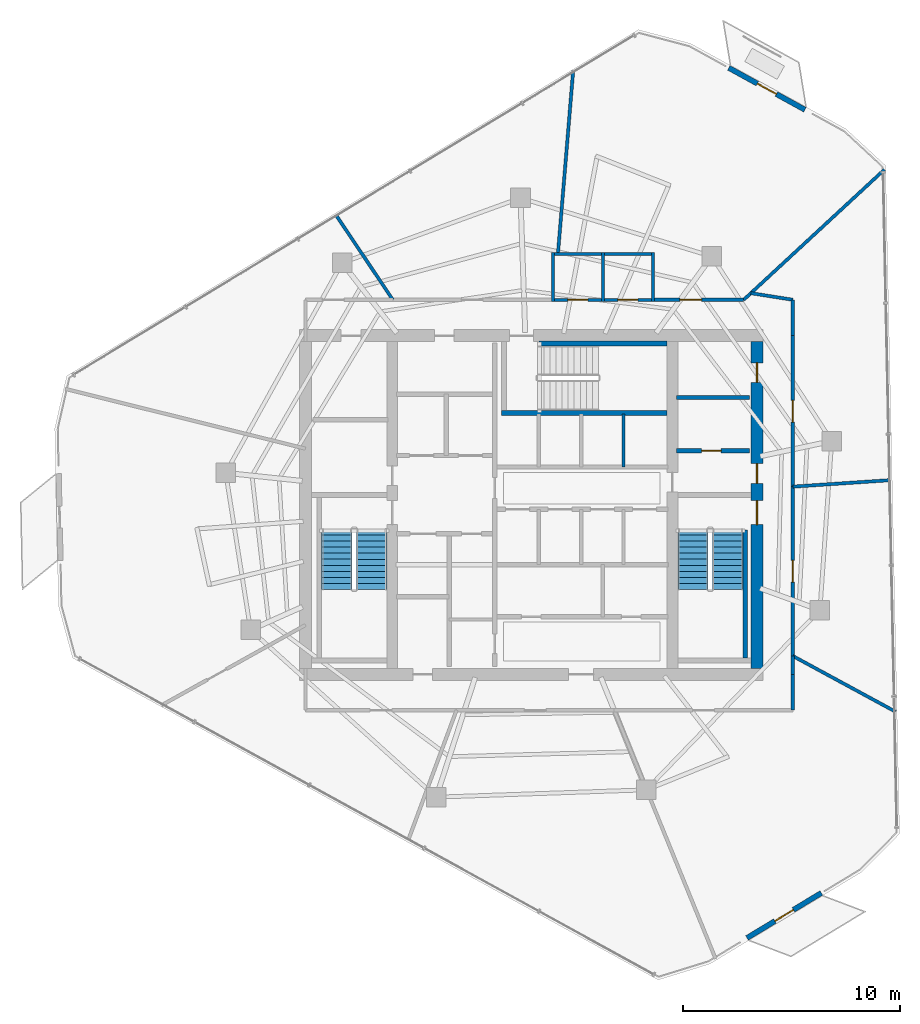
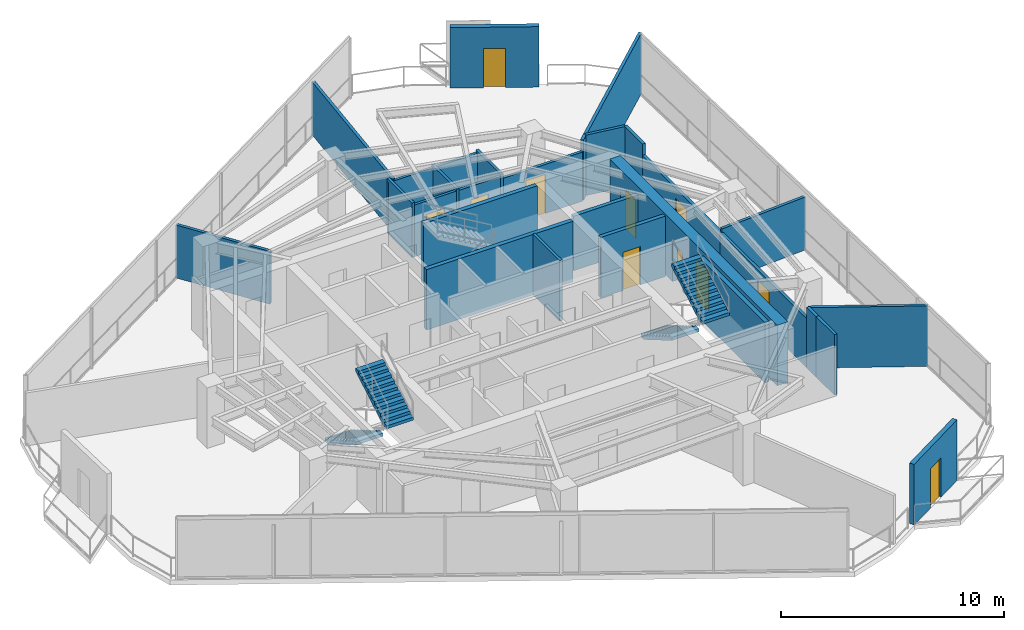
# One storey, part 16 of 19: 28 walls, 11 doors, 4 stair flights, 11 openings, 2 elements without a shape of their own.
"""IFC4 building model written with IfcOpenShell, lengths in metres."""

from ifc_helpers import new_model, si_unit, direction, frame, frame_2d, origin, place, context, subcontext, project, spatial, polyline, rectangle, outline, extrude, material, layer, layer_set, type_object, element, fill, aggregate, save


model = new_model("IFC4")

# Units and contexts
model_context = context("Model", 3, precision=1e-05, world=origin(), true_north=direction((0.0, 1.0)))
body_context = subcontext(model_context, "Body", "Model", "MODEL_VIEW")
ifc_project = project(units=[si_unit("LENGTHUNIT", "METRE"), si_unit("AREAUNIT", "SQUARE_METRE"), si_unit("VOLUMEUNIT", "CUBIC_METRE"), si_unit("PLANEANGLEUNIT", "RADIAN"), si_unit("MASSUNIT", "GRAM", prefix="KILO")], contexts=[model_context])

# Site, building, storey
site_placement = place(None, origin())
site = spatial("IfcSite", under=ifc_project, at=site_placement, CompositionType="ELEMENT")
building_placement = place(site_placement, origin())
building = spatial("IfcBuilding", under=site, at=building_placement, Name="Qarnah Convention Tower", CompositionType="ELEMENT")
storey_placement = place(building_placement, frame((0.0, 0.0, 184.199951171875)))
storey = spatial("IfcBuildingStorey", under=building, at=storey_placement, Name="L49", CompositionType="ELEMENT", Elevation=184.199951171875)

# Wall, openings, doors
ifc_material_1 = material(Name="Concrete C60/75", Category="concrete")
ifc_layer_1 = layer(ifc_material_1, 0.550048828125)
ifc_layer_set_1 = layer_set([ifc_layer_1], Name="Concrete C60/75")
wall_type_1 = type_object("IfcWallType", Name="WL-CORE-550", PredefinedType="SHEAR", material=ifc_layer_set_1)
wall_1_placement = place(storey_placement, frame((47.60009765625, 18.875, 0.0), z_axis=(0.0, 0.0, 1.0), x_axis=(0.0, 1.0, 0.0)))
wall_1 = element("IfcWall", 1, at=wall_1_placement, inside=storey, type_object=wall_type_1, Name="L49 core east shear wall", PredefinedType="SHEAR", context=body_context, shape_type="SweptSolid", body=[
    extrude(rectangle(XDim=15.050048828125, YDim=0.550048828125, at=frame_2d((7.52490234375, 0.0))), origin(), (0.0, 0.0, 1.0), 3.320068359375),
])
opening_1_placement = place(wall_1_placement, frame((6.625, 0.0, 0.0)))
opening_1 = element("IfcOpeningElement", 2, at=opening_1_placement, cuts=wall_1, Name="Opening D-4902", PredefinedType="OPENING", context=body_context, shape_type="SweptSolid", body=[
    extrude(rectangle(XDim=1.10009765625, YDim=2.14990234375, at=frame_2d((0.550048828125, 1.074951171875))), frame((0.0, 0.284912109375, 0.0), z_axis=(0.0, -1.0, 0.0), x_axis=(1.0, 0.0, 0.0)), (0.0, 0.0, 1.0), 0.570068359375),
])
opening_2_placement = place(wall_1_placement, frame((8.52490234375, 0.0, 0.0)))
opening_2 = element("IfcOpeningElement", 3, at=opening_2_placement, cuts=wall_1, Name="Opening D-4906", PredefinedType="OPENING", context=body_context, shape_type="SweptSolid", body=[
    extrude(rectangle(XDim=0.89990234375, YDim=2.10009765625, at=frame_2d((0.449951171875, 1.050048828125))), frame((0.0, 0.284912109375, 0.0), z_axis=(0.0, -1.0, 0.0), x_axis=(1.0, 0.0, 0.0)), (0.0, 0.0, 1.0), 0.570068359375),
])
opening_3_placement = place(wall_1_placement, frame((13.175048828125, 0.0, 0.0)))
opening_3 = element("IfcOpeningElement", 4, at=opening_3_placement, cuts=wall_1, Name="Opening D-4912", PredefinedType="OPENING", context=body_context, shape_type="SweptSolid", body=[
    extrude(rectangle(XDim=0.89990234375, YDim=2.10009765625, at=frame_2d((0.449951171875, 1.050048828125))), frame((0.0, 0.284912109375, 0.0), z_axis=(0.0, -1.0, 0.0), x_axis=(1.0, 0.0, 0.0)), (0.0, 0.0, 1.0), 0.570068359375),
])
ifc_material_2 = material(Name="Structural steel S355JR", Category="steel")
door_type_1 = type_object("IfcDoorType", Name="DT-RISER-900", OperationType="NOTDEFINED", PredefinedType="DOOR", material=ifc_material_2)
door_1_placement = place(opening_2_placement, origin())
door_1 = element("IfcDoor", 5, at=door_1_placement, inside=storey, type_object=door_type_1, Name="Door D-4906", OperationType="SINGLE_SWING_LEFT", OverallHeight=2.10009765625, OverallWidth=0.89990234375, PredefinedType="DOOR", context=body_context, shape_type="SweptSolid", body=[
    extrude(rectangle(XDim=0.89990234375, YDim=2.10009765625, at=frame_2d((0.449951171875, 1.050048828125))), frame((0.0, 0.02490234375, 0.0), z_axis=(0.0, -1.0, 0.0), x_axis=(1.0, 0.0, 0.0)), (0.0, 0.0, 1.0), 0.050048828125),
])
fill(opening_2, door_1)
door_2_placement = place(opening_3_placement, origin())
door_2 = element("IfcDoor", 6, at=door_2_placement, inside=storey, type_object=door_type_1, Name="Door D-4912", OperationType="SINGLE_SWING_LEFT", OverallHeight=2.10009765625, OverallWidth=0.89990234375, PredefinedType="DOOR", context=body_context, shape_type="SweptSolid", body=[
    extrude(rectangle(XDim=0.89990234375, YDim=2.10009765625, at=frame_2d((0.449951171875, 1.050048828125))), frame((0.0, 0.02490234375, 0.0), z_axis=(0.0, -1.0, 0.0), x_axis=(1.0, 0.0, 0.0)), (0.0, 0.0, 1.0), 0.050048828125),
])
fill(opening_3, door_2)
door_type_2 = type_object("IfcDoorType", Name="DT-STAIR-1100", OperationType="NOTDEFINED", PredefinedType="DOOR", material=ifc_material_2)
door_3_placement = place(opening_1_placement, origin())
door_3 = element("IfcDoor", 7, at=door_3_placement, inside=storey, type_object=door_type_2, Name="Door D-4902", OperationType="SINGLE_SWING_LEFT", OverallHeight=2.14990234375, OverallWidth=1.10009765625, PredefinedType="DOOR", context=body_context, shape_type="SweptSolid", body=[
    extrude(rectangle(XDim=1.10009765625, YDim=2.14990234375, at=frame_2d((0.550048828125, 1.074951171875))), frame((0.0, 0.02490234375, 0.0), z_axis=(0.0, -1.0, 0.0), x_axis=(1.0, 0.0, 0.0)), (0.0, 0.0, 1.0), 0.050048828125),
])
fill(opening_1, door_3)

# Wall, opening, door
ifc_material_3 = material(Name="Concrete C45/55", Category="concrete")
ifc_layer_2 = layer(ifc_material_3, 0.199951171875)
ifc_layer_set_2 = layer_set([ifc_layer_2], Name="Concrete C45/55")
wall_type_2 = type_object("IfcWallType", Name="WL-CORE-PART-200", PredefinedType="SOLIDWALL", material=ifc_layer_set_2)
wall_2_placement = place(storey_placement, frame((43.89990234375, 28.89990234375, 0.0), z_axis=(0.0, 0.0, 1.0), x_axis=(1.0, 0.0, 0.0)))
wall_2 = element("IfcWall", 8, at=wall_2_placement, inside=storey, type_object=wall_type_2, Name="L49 interior wall IW-L49-EVSTN", PredefinedType="SOLIDWALL", context=body_context, shape_type="SweptSolid", body=[
    extrude(rectangle(XDim=3.35009765625, YDim=0.199951171875, at=frame_2d((1.675048828125, 0.0))), origin(), (0.0, 0.0, 1.0), 3.320068359375),
])
opening_4_placement = place(wall_2_placement, frame((1.14990234375, 0.0, 0.0)))
opening_4 = element("IfcOpeningElement", 9, at=opening_4_placement, cuts=wall_2, Name="Opening D-4911", PredefinedType="OPENING", context=body_context, shape_type="SweptSolid", body=[
    extrude(rectangle(XDim=0.89990234375, YDim=2.10009765625, at=frame_2d((0.449951171875, 1.050048828125))), frame((0.0, 0.10986328125, 0.0), z_axis=(0.0, -1.0, 0.0), x_axis=(1.0, 0.0, 0.0)), (0.0, 0.0, 1.0), 0.219970703125),
])
door_4_placement = place(opening_4_placement, origin())
door_4 = element("IfcDoor", 10, at=door_4_placement, inside=storey, type_object=door_type_1, Name="Door D-4911", OperationType="SINGLE_SWING_RIGHT", OverallHeight=2.10009765625, OverallWidth=0.89990234375, PredefinedType="DOOR", context=body_context, shape_type="SweptSolid", body=[
    extrude(rectangle(XDim=0.89990234375, YDim=2.10009765625, at=frame_2d((0.449951171875, 1.050048828125))), frame((0.0, 0.02490234375, 0.0), z_axis=(0.0, -1.0, 0.0), x_axis=(1.0, 0.0, 0.0)), (0.0, 0.0, 1.0), 0.050048828125),
])
fill(opening_4, door_4)

# Walls
wall_3_placement = place(storey_placement, frame((43.89990234375, 31.35009765625, 0.0), z_axis=(0.0, 0.0, 1.0), x_axis=(1.0, 0.0, 0.0)))
element("IfcWall", 11, at=wall_3_placement, inside=storey, type_object=wall_type_2, Name="L49 interior wall IW-L49-WTRN", PredefinedType="SOLIDWALL", context=body_context, shape_type="SweptSolid", body=[
    extrude(rectangle(XDim=3.35009765625, YDim=0.199951171875, at=frame_2d((1.675048828125, 0.0))), origin(), (0.0, 0.0, 1.0), 2.9931640625),
])
ifc_layer_3 = layer(ifc_material_1, 0.219970703125)
ifc_layer_set_3 = layer_set([ifc_layer_3], Name="Concrete C60/75")
wall_type_3 = type_object("IfcWallType", Name="WL-CORE-STAIR-220", PredefinedType="SHEAR", material=ifc_layer_set_3)
wall_4_placement = place(storey_placement, frame((47.06005859375, 19.35009765625, 0.0), z_axis=(0.0, 0.0, 1.0), x_axis=(0.0, 1.0, 0.0)))
element("IfcWall", 12, at=wall_4_placement, inside=storey, type_object=wall_type_3, Name="L49 stair shaft shear wall SW-L49-ST2E", PredefinedType="SHEAR", context=body_context, shape_type="SweptSolid", body=[
    extrude(rectangle(XDim=5.89990234375, YDim=0.219970703125, at=frame_2d((2.949951171875, 0.0))), origin(), (0.0, 0.0, 1.0), 3.320068359375),
])
wall_5_placement = place(storey_placement, frame((35.840087890625, 30.639892578125, 0.0), z_axis=(0.0, 0.0, 1.0), x_axis=(1.0, 0.0, 0.0)))
element("IfcWall", 13, at=wall_5_placement, inside=storey, type_object=wall_type_3, Name="L49 stair shaft shear wall SW-L49-ST3S", PredefinedType="SHEAR", context=body_context, shape_type="SweptSolid", body=[
    extrude(rectangle(XDim=7.60986328125, YDim=0.219970703125, at=frame_2d((3.804931640625, 0.0))), origin(), (0.0, 0.0, 1.0), 3.320068359375),
])
wall_6_placement = place(storey_placement, frame((37.550048828125, 33.840087890625, 0.0), z_axis=(0.0, 0.0, 1.0), x_axis=(1.0, 0.0, 0.0)))
element("IfcWall", 14, at=wall_6_placement, inside=storey, type_object=wall_type_3, Name="L49 stair shaft shear wall SW-L49-ST3N", PredefinedType="SHEAR", context=body_context, shape_type="SweptSolid", body=[
    extrude(rectangle(XDim=5.89990234375, YDim=0.219970703125, at=frame_2d((2.949951171875, 0.0))), origin(), (0.0, 0.0, 1.0), 3.320068359375),
])

# Wall, opening, door
ifc_material_4 = material(Name="Precast concrete C45/55", Category="concrete")
ifc_layer_4 = layer(ifc_material_4, 0.239990234375)
ifc_layer_set_4 = layer_set([ifc_layer_4], Name="Precast concrete C45/55")
wall_type_4 = type_object("IfcWallType", Name="WL-EXT-BAL-240", PredefinedType="SOLIDWALL", material=ifc_layer_set_4)
wall_7_placement = place(storey_placement, frame((46.300048828125, 46.531005859375, 0.0), z_axis=(0.0, 0.0, 1.0), x_axis=(0.876288068807, -0.481787526267, 0.0)))
wall_7 = element("IfcWall", 15, at=wall_7_placement, inside=storey, type_object=wall_type_4, Name="L49 loggia threshold wall BAL-L49-C1", PredefinedType="SOLIDWALL", context=body_context, shape_type="SweptSolid", body=[
    extrude(rectangle(XDim=3.999755859375, YDim=0.239990234375, at=frame_2d((2.0, 0.0))), origin(), (0.0, 0.0, 1.0), 3.320068359375),
])
opening_5_placement = place(wall_7_placement, frame((1.5, 0.0, 0.0)))
opening_5 = element("IfcOpeningElement", 16, at=opening_5_placement, cuts=wall_7, Name="Opening BD-4901", PredefinedType="OPENING", context=body_context, shape_type="SweptSolid", body=[
    extrude(rectangle(XDim=1.0, YDim=2.14990234375, at=frame_2d((0.5, 1.074951171875))), frame((0.0, 0.1298828125, 0.0), z_axis=(0.0, -1.0, 0.0), x_axis=(1.0, 0.0, 0.0)), (0.0, 0.0, 1.0), 0.260009765625),
])
ifc_material_5 = material(Name="Black anodised aluminium", Category="aluminium")
door_type_3 = type_object("IfcDoorType", Name="DT-BAL-1000", OperationType="NOTDEFINED", PredefinedType="DOOR", material=ifc_material_5)
door_5_placement = place(opening_5_placement, origin())
door_5 = element("IfcDoor", 17, at=door_5_placement, inside=storey, type_object=door_type_3, Name="L49 balcony terrace door BAL-L49-C1", OperationType="SINGLE_SWING_RIGHT", OverallHeight=2.14990234375, OverallWidth=1.0, PredefinedType="DOOR", context=body_context, shape_type="SweptSolid", body=[
    extrude(rectangle(XDim=1.0, YDim=2.14990234375, at=frame_2d((0.5, 1.074951171875))), frame((0.0, 0.02490234375, 0.0), z_axis=(0.0, -1.0, 0.0), x_axis=(1.0, 0.0, 0.0)), (0.0, 0.0, 1.0), 0.050048828125),
])
fill(opening_5, door_5)

wall_8_placement = place(storey_placement, frame((50.56103515625, 8.529052734375, 0.0), z_axis=(0.0, 0.0, 1.0), x_axis=(-0.855418255394, -0.517937842158, 0.0)))
wall_8 = element("IfcWall", 18, at=wall_8_placement, inside=storey, type_object=wall_type_4, Name="L49 loggia threshold wall BAL-L49-C3", PredefinedType="SOLIDWALL", context=body_context, shape_type="SweptSolid", body=[
    extrude(rectangle(XDim=4.00048828125, YDim=0.239990234375, at=frame_2d((2.000244140625, 0.0))), origin(), (0.0, 0.0, 1.0), 3.320068359375),
])
opening_6_placement = place(wall_8_placement, frame((1.5, 0.0, 0.0)))
opening_6 = element("IfcOpeningElement", 19, at=opening_6_placement, cuts=wall_8, Name="Opening BD-4903", PredefinedType="OPENING", context=body_context, shape_type="SweptSolid", body=[
    extrude(rectangle(XDim=1.0, YDim=2.14990234375, at=frame_2d((0.5, 1.074951171875))), frame((0.0, 0.1298828125, 0.0), z_axis=(0.0, -1.0, 0.0), x_axis=(1.0, 0.0, 0.0)), (0.0, 0.0, 1.0), 0.260009765625),
])
door_6_placement = place(opening_6_placement, origin())
door_6 = element("IfcDoor", 20, at=door_6_placement, inside=storey, type_object=door_type_3, Name="L49 balcony terrace door BAL-L49-C3", OperationType="SINGLE_SWING_RIGHT", OverallHeight=2.14990234375, OverallWidth=1.0, PredefinedType="DOOR", context=body_context, shape_type="SweptSolid", body=[
    extrude(rectangle(XDim=1.0, YDim=2.14990234375, at=frame_2d((0.5, 1.074951171875))), frame((0.0, 0.02490234375, 0.0), z_axis=(0.0, -1.0, 0.0), x_axis=(1.0, 0.0, 0.0)), (0.0, 0.0, 1.0), 0.050048828125),
])
fill(opening_6, door_6)

# Walls
ifc_material_6 = material(Name="Gypsum partition board")
ifc_layer_5 = layer(ifc_material_6, 0.14990234375)
ifc_layer_set_5 = layer_set([ifc_layer_5], Name="Gypsum partition board")
wall_type_5 = type_object("IfcWallType", Name="WL-SUITE-150", PredefinedType="PARTITIONING", material=ifc_layer_set_5)
wall_9_placement = place(storey_placement, frame((41.449951171875, 28.14990234375, 0.0), z_axis=(0.0, 0.0, 1.0), x_axis=(0.0, 1.0, 0.0)))
element("IfcWall", 21, at=wall_9_placement, inside=storey, type_object=wall_type_5, Name="L49 interior wall IW-L49-PHD3", PredefinedType="PARTITIONING", context=body_context, shape_type="SweptSolid", body=[
    extrude(rectangle(XDim=2.43017578125, YDim=0.14990234375, at=frame_2d((1.215087890625, 0.0))), origin(), (0.0, 0.0, 1.0), 3.320068359375),
])
wall_10_placement = place(storey_placement, frame((53.469970703125, 41.847900390625, 0.0), z_axis=(0.0, 0.0, 1.0), x_axis=(-0.734087727694, -0.679054642904, 0.0)))
element("IfcWall", 22, at=wall_10_placement, inside=storey, type_object=wall_type_5, Name="L49 interior wall IW-L49-R-08", PredefinedType="PARTITIONING", context=body_context, shape_type="SweptSolid", body=[
    extrude(rectangle(XDim=8.83251953125, YDim=0.14990234375, at=frame_2d((4.416259765625, 0.0))), origin(), (0.0, 0.0, 1.0), 3.320068359375),
])
wall_11_placement = place(storey_placement, frame((47.31689453125, 36.156005859375, 0.0), z_axis=(0.0, 0.0, 1.0), x_axis=(0.987709301522, -0.156302065523, 0.0)))
element("IfcWall", 23, at=wall_11_placement, inside=storey, type_object=wall_type_5, Name="L49 interior wall IW-L49-R-09", PredefinedType="PARTITIONING", context=body_context, shape_type="SweptSolid", body=[
    extrude(rectangle(XDim=1.957275390625, YDim=0.14990234375, at=frame_2d((0.978515625, 0.0))), origin(), (0.0, 0.0, 1.0), 3.320068359375),
])
wall_12_placement = place(storey_placement, frame((49.25, 35.85009765625, 0.0), z_axis=(0.0, 0.0, 1.0), x_axis=(0.0, -1.0, 0.0)))
element("IfcWall", 24, at=wall_12_placement, inside=storey, type_object=wall_type_5, Name="L49 interior wall IW-L49-R-10", PredefinedType="PARTITIONING", context=body_context, shape_type="SweptSolid", body=[
    extrude(rectangle(XDim=1.650146484375, YDim=0.14990234375, at=frame_2d((0.8251953125, 0.0))), origin(), (0.0, 0.0, 1.0), 3.320068359375),
])

# Wall, opening, door
wall_13_placement = place(storey_placement, frame((49.25, 34.199951171875, 0.0), z_axis=(0.0, 0.0, 1.0), x_axis=(0.0, -1.0, 0.0)))
wall_13 = element("IfcWall", 25, at=wall_13_placement, inside=storey, type_object=wall_type_5, Name="L49 interior wall IW-L49-R-11", PredefinedType="PARTITIONING", context=body_context, shape_type="SweptSolid", body=[
    extrude(rectangle(XDim=6.95703125, YDim=0.14990234375, at=frame_2d((3.478515625, 0.0))), origin(), (0.0, 0.0, 1.0), 2.697021484375),
])
opening_7_placement = place(wall_13_placement, frame((2.97900390625, 0.0, 0.0)))
opening_7 = element("IfcOpeningElement", 26, at=opening_7_placement, cuts=wall_13, Name="Opening D-4920", PredefinedType="OPENING", context=body_context, shape_type="SweptSolid", body=[
    extrude(rectangle(XDim=1.0, YDim=2.14990234375, at=frame_2d((0.5, 1.074951171875))), frame((0.0, 0.0849609375, 0.0), z_axis=(0.0, -1.0, 0.0), x_axis=(1.0, 0.0, 0.0)), (0.0, 0.0, 1.0), 0.169921875),
])
ifc_material_7 = material(Name="Oak timber veneer", Category="wood")
door_type_4 = type_object("IfcDoorType", Name="DT-OFFICE-1000", OperationType="NOTDEFINED", PredefinedType="DOOR", material=ifc_material_7)
door_7_placement = place(opening_7_placement, origin())
door_7 = element("IfcDoor", 27, at=door_7_placement, inside=storey, type_object=door_type_4, Name="Door D-4920", OperationType="SINGLE_SWING_LEFT", OverallHeight=2.14990234375, OverallWidth=1.0, PredefinedType="DOOR", context=body_context, shape_type="SweptSolid", body=[
    extrude(rectangle(XDim=1.0, YDim=2.14990234375, at=frame_2d((0.5, 1.074951171875))), frame((0.0, 0.02490234375, 0.0), z_axis=(0.0, -1.0, 0.0), x_axis=(1.0, 0.0, 0.0)), (0.0, 0.0, 1.0), 0.050048828125),
])
fill(opening_7, door_7)

# Walls
wall_14_placement = place(storey_placement, frame((49.25, 27.242919921875, 0.0), z_axis=(0.0, 0.0, 1.0), x_axis=(0.997782521129, 0.066558549635, 0.0)))
element("IfcWall", 28, at=wall_14_placement, inside=storey, type_object=wall_type_5, Name="L49 interior wall IW-L49-R-12", PredefinedType="PARTITIONING", context=body_context, shape_type="SweptSolid", body=[
    extrude(rectangle(XDim=4.508056640625, YDim=0.14990234375, at=frame_2d((2.25390625, 0.0))), origin(), (0.0, 0.0, 1.0), 2.905029296875),
])
wall_15_placement = place(storey_placement, frame((39.132080078125, 46.39990234375, 0.0), z_axis=(0.0, 0.0, 1.0), x_axis=(-0.082923952754, -0.996555878042, 0.0)))
element("IfcWall", 29, at=wall_15_placement, inside=storey, type_object=wall_type_5, Name="L49 interior wall IW-L49-R-13", PredefinedType="PARTITIONING", context=body_context, shape_type="SweptSolid", body=[
    extrude(rectangle(XDim=8.479248046875, YDim=0.14990234375, at=frame_2d((4.23974609375, 0.0))), origin(), (0.0, 0.0, 1.0), 2.905029296875),
])

# Wall, opening, door
wall_16_placement = place(storey_placement, frame((42.8701171875, 35.85009765625, 0.0), z_axis=(0.0, 0.0, 1.0), x_axis=(1.0, 0.0, 0.0)))
wall_16 = element("IfcWall", 30, at=wall_16_placement, inside=storey, type_object=wall_type_5, Name="L49 interior wall IW-L49-R-14", PredefinedType="PARTITIONING", context=body_context, shape_type="SweptSolid", body=[
    extrude(rectangle(XDim=4.115966796875, YDim=0.14990234375, at=frame_2d((2.05810546875, 0.0))), origin(), (0.0, 0.0, 1.0), 2.697021484375),
])
opening_8_placement = place(wall_16_placement, frame((1.180908203125, 0.0, 0.0)))
opening_8 = element("IfcOpeningElement", 31, at=opening_8_placement, cuts=wall_16, Name="Opening D-4921", PredefinedType="OPENING", context=body_context, shape_type="SweptSolid", body=[
    extrude(rectangle(XDim=1.0, YDim=2.14990234375, at=frame_2d((0.5, 1.074951171875))), frame((0.0, 0.0849609375, 0.0), z_axis=(0.0, -1.0, 0.0), x_axis=(1.0, 0.0, 0.0)), (0.0, 0.0, 1.0), 0.169921875),
])
door_8_placement = place(opening_8_placement, origin())
door_8 = element("IfcDoor", 32, at=door_8_placement, inside=storey, type_object=door_type_4, Name="Door D-4921", OperationType="SINGLE_SWING_RIGHT", OverallHeight=2.14990234375, OverallWidth=1.0, PredefinedType="DOOR", context=body_context, shape_type="SweptSolid", body=[
    extrude(rectangle(XDim=1.0, YDim=2.14990234375, at=frame_2d((0.5, 1.074951171875))), frame((0.0, 0.02490234375, 0.0), z_axis=(0.0, -1.0, 0.0), x_axis=(1.0, 0.0, 0.0)), (0.0, 0.0, 1.0), 0.050048828125),
])
fill(opening_8, door_8)

# Walls
wall_17_placement = place(storey_placement, frame((28.202880859375, 39.762939453125, 0.0), z_axis=(0.0, 0.0, 1.0), x_axis=(0.556827266528, -0.830628313538, 0.0)))
element("IfcWall", 33, at=wall_17_placement, inside=storey, type_object=wall_type_5, Name="L49 interior wall IW-L49-R-15", PredefinedType="PARTITIONING", context=body_context, shape_type="SweptSolid", body=[
    extrude(rectangle(XDim=4.710693359375, YDim=0.14990234375, at=frame_2d((2.35546875, 0.0))), origin(), (0.0, 0.0, 1.0), 2.905029296875),
])
wall_18_placement = place(storey_placement, frame((53.98291015625, 16.876953125, 0.0), z_axis=(0.0, 0.0, 1.0), x_axis=(-0.879097235711, 0.476642476249, 0.0)))
element("IfcWall", 34, at=wall_18_placement, inside=storey, type_object=wall_type_5, Name="L49 interior wall IW-L49-R-26", PredefinedType="PARTITIONING", context=body_context, shape_type="SweptSolid", body=[
    extrude(rectangle(XDim=5.3837890625, YDim=0.14990234375, at=frame_2d((2.69189453125, 0.0))), origin(), (0.0, 0.0, 1.0), 3.320068359375),
])
wall_19_placement = place(storey_placement, frame((49.25, 19.443115234375, 0.0), z_axis=(0.0, 0.0, 1.0), x_axis=(0.0, -1.0, 0.0)))
element("IfcWall", 35, at=wall_19_placement, inside=storey, type_object=wall_type_5, Name="L49 interior wall IW-L49-R-27", PredefinedType="PARTITIONING", context=body_context, shape_type="SweptSolid", body=[
    extrude(rectangle(XDim=0.843017578125, YDim=0.14990234375, at=frame_2d((0.42138671875, 0.0))), origin(), (0.0, 0.0, 1.0), 3.320068359375),
])
wall_20_placement = place(storey_placement, frame((49.25, 18.60009765625, 0.0), z_axis=(0.0, 0.0, 1.0), x_axis=(0.0, -1.0, 0.0)))
element("IfcWall", 36, at=wall_20_placement, inside=storey, type_object=wall_type_5, Name="L49 interior wall IW-L49-R-28", PredefinedType="PARTITIONING", context=body_context, shape_type="SweptSolid", body=[
    extrude(rectangle(XDim=1.650146484375, YDim=0.14990234375, at=frame_2d((0.8251953125, 0.0))), origin(), (0.0, 0.0, 1.0), 3.320068359375),
])

# Wall, opening, door
wall_21_placement = place(storey_placement, frame((49.25, 27.242919921875, 0.0), z_axis=(0.0, 0.0, 1.0), x_axis=(0.0, -1.0, 0.0)))
wall_21 = element("IfcWall", 37, at=wall_21_placement, inside=storey, type_object=wall_type_5, Name="L49 interior wall IW-L49-R-30", PredefinedType="PARTITIONING", context=body_context, shape_type="SweptSolid", body=[
    extrude(rectangle(XDim=7.7998046875, YDim=0.14990234375, at=frame_2d((3.89990234375, 0.0))), origin(), (0.0, 0.0, 1.0), 2.697021484375),
])
opening_9_placement = place(wall_21_placement, frame((3.39990234375, 0.0, 0.0)))
opening_9 = element("IfcOpeningElement", 38, at=opening_9_placement, cuts=wall_21, Name="Opening D-4928", PredefinedType="OPENING", context=body_context, shape_type="SweptSolid", body=[
    extrude(rectangle(XDim=1.0, YDim=2.14990234375, at=frame_2d((0.5, 1.074951171875))), frame((0.0, 0.0849609375, 0.0), z_axis=(0.0, -1.0, 0.0), x_axis=(1.0, 0.0, 0.0)), (0.0, 0.0, 1.0), 0.169921875),
])
door_9_placement = place(opening_9_placement, origin())
door_9 = element("IfcDoor", 39, at=door_9_placement, inside=storey, type_object=door_type_4, Name="Door D-4928", OperationType="SINGLE_SWING_LEFT", OverallHeight=2.14990234375, OverallWidth=1.0, PredefinedType="DOOR", context=body_context, shape_type="SweptSolid", body=[
    extrude(rectangle(XDim=1.0, YDim=2.14990234375, at=frame_2d((0.5, 1.074951171875))), frame((0.0, 0.02490234375, 0.0), z_axis=(0.0, -1.0, 0.0), x_axis=(1.0, 0.0, 0.0)), (0.0, 0.0, 1.0), 0.050048828125),
])
fill(opening_9, door_9)

ifc_layer_6 = layer(ifc_material_6, 0.139892578125)
ifc_layer_set_6 = layer_set([ifc_layer_6], Name="Gypsum partition board")
wall_type_6 = type_object("IfcWallType", Name="WL-WET-140", PredefinedType="PARTITIONING", material=ifc_layer_set_6)
wall_22_placement = place(storey_placement, frame((38.1298828125, 35.85009765625, 0.0), z_axis=(0.0, 0.0, 1.0), x_axis=(1.0, 0.0, 0.0)))
wall_22 = element("IfcWall", 40, at=wall_22_placement, inside=storey, type_object=wall_type_6, Name="L49 interior wall IW-L49-WCM-1", PredefinedType="PARTITIONING", context=body_context, shape_type="SweptSolid", body=[
    extrude(rectangle(XDim=2.440185546875, YDim=0.139892578125, at=frame_2d((1.22021484375, 0.0))), origin(), (0.0, 0.0, 1.0), 2.841064453125),
])
opening_10_placement = place(wall_22_placement, frame((0.760009765625, 0.0, 0.0)))
opening_10 = element("IfcOpeningElement", 41, at=opening_10_placement, cuts=wall_22, Name="Opening D-4918", PredefinedType="OPENING", context=body_context, shape_type="SweptSolid", body=[
    extrude(rectangle(XDim=0.919921875, YDim=2.10009765625, at=frame_2d((0.4599609375, 1.050048828125))), frame((0.0, 0.079833984375, 0.0), z_axis=(0.0, -1.0, 0.0), x_axis=(1.0, 0.0, 0.0)), (0.0, 0.0, 1.0), 0.159912109375),
])
door_type_5 = type_object("IfcDoorType", Name="DT-WC-920", OperationType="NOTDEFINED", PredefinedType="DOOR", material=ifc_material_7)
door_10_placement = place(opening_10_placement, origin())
door_10 = element("IfcDoor", 42, at=door_10_placement, inside=storey, type_object=door_type_5, Name="Door D-4918", OperationType="SINGLE_SWING_LEFT", OverallHeight=2.10009765625, OverallWidth=0.919921875, PredefinedType="DOOR", context=body_context, shape_type="SweptSolid", body=[
    extrude(rectangle(XDim=0.919921875, YDim=2.10009765625, at=frame_2d((0.4599609375, 1.050048828125))), frame((0.0, 0.02490234375, 0.0), z_axis=(0.0, -1.0, 0.0), x_axis=(1.0, 0.0, 0.0)), (0.0, 0.0, 1.0), 0.050048828125),
])
fill(opening_10, door_10)

# Walls
wall_23_placement = place(storey_placement, frame((40.5, 35.780029296875, 0.0), z_axis=(0.0, 0.0, 1.0), x_axis=(0.0, 1.0, 0.0)))
element("IfcWall", 43, at=wall_23_placement, inside=storey, type_object=wall_type_6, Name="L49 interior wall IW-L49-WCM-2", PredefinedType="PARTITIONING", context=body_context, shape_type="SweptSolid", body=[
    extrude(rectangle(XDim=2.239990234375, YDim=0.139892578125, at=frame_2d((1.1201171875, 0.0))), origin(), (0.0, 0.0, 1.0), 2.948974609375),
])
wall_24_placement = place(storey_placement, frame((40.570068359375, 37.949951171875, 0.0), z_axis=(0.0, 0.0, 1.0), x_axis=(-1.0, 0.0, 0.0)))
element("IfcWall", 44, at=wall_24_placement, inside=storey, type_object=wall_type_6, Name="L49 interior wall IW-L49-WCM-3", PredefinedType="PARTITIONING", context=body_context, shape_type="SweptSolid", body=[
    extrude(rectangle(XDim=2.440185546875, YDim=0.139892578125, at=frame_2d((1.22021484375, 0.0))), origin(), (0.0, 0.0, 1.0), 2.841064453125),
])
wall_25_placement = place(storey_placement, frame((38.199951171875, 38.02001953125, 0.0), z_axis=(0.0, 0.0, 1.0), x_axis=(0.0, -1.0, 0.0)))
element("IfcWall", 45, at=wall_25_placement, inside=storey, type_object=wall_type_6, Name="L49 interior wall IW-L49-WCM-4", PredefinedType="PARTITIONING", context=body_context, shape_type="SweptSolid", body=[
    extrude(rectangle(XDim=2.239990234375, YDim=0.139892578125, at=frame_2d((1.1201171875, 0.0))), origin(), (0.0, 0.0, 1.0), 2.9931640625),
])

# Wall, opening, door
wall_26_placement = place(storey_placement, frame((40.429931640625, 35.85009765625, 0.0), z_axis=(0.0, 0.0, 1.0), x_axis=(1.0, 0.0, 0.0)))
wall_26 = element("IfcWall", 46, at=wall_26_placement, inside=storey, type_object=wall_type_6, Name="L49 interior wall IW-L49-WCF-1", PredefinedType="PARTITIONING", context=body_context, shape_type="SweptSolid", body=[
    extrude(rectangle(XDim=2.440185546875, YDim=0.139892578125, at=frame_2d((1.22021484375, 0.0))), origin(), (0.0, 0.0, 1.0), 2.841064453125),
])
opening_11_placement = place(wall_26_placement, frame((0.760009765625, 0.0, 0.0)))
opening_11 = element("IfcOpeningElement", 47, at=opening_11_placement, cuts=wall_26, Name="Opening D-4919", PredefinedType="OPENING", context=body_context, shape_type="SweptSolid", body=[
    extrude(rectangle(XDim=0.919921875, YDim=2.10009765625, at=frame_2d((0.4599609375, 1.050048828125))), frame((0.0, 0.079833984375, 0.0), z_axis=(0.0, -1.0, 0.0), x_axis=(1.0, 0.0, 0.0)), (0.0, 0.0, 1.0), 0.159912109375),
])
door_11_placement = place(opening_11_placement, origin())
door_11 = element("IfcDoor", 48, at=door_11_placement, inside=storey, type_object=door_type_5, Name="Door D-4919", OperationType="SINGLE_SWING_RIGHT", OverallHeight=2.10009765625, OverallWidth=0.919921875, PredefinedType="DOOR", context=body_context, shape_type="SweptSolid", body=[
    extrude(rectangle(XDim=0.919921875, YDim=2.10009765625, at=frame_2d((0.4599609375, 1.050048828125))), frame((0.0, 0.02490234375, 0.0), z_axis=(0.0, -1.0, 0.0), x_axis=(1.0, 0.0, 0.0)), (0.0, 0.0, 1.0), 0.050048828125),
])
fill(opening_11, door_11)

# Walls
wall_27_placement = place(storey_placement, frame((42.800048828125, 35.780029296875, 0.0), z_axis=(0.0, 0.0, 1.0), x_axis=(0.0, 1.0, 0.0)))
element("IfcWall", 49, at=wall_27_placement, inside=storey, type_object=wall_type_6, Name="L49 interior wall IW-L49-WCF-2", PredefinedType="PARTITIONING", context=body_context, shape_type="SweptSolid", body=[
    extrude(rectangle(XDim=2.239990234375, YDim=0.139892578125, at=frame_2d((1.1201171875, 0.0))), origin(), (0.0, 0.0, 1.0), 2.948974609375),
])
wall_28_placement = place(storey_placement, frame((42.8701171875, 37.949951171875, 0.0), z_axis=(0.0, 0.0, 1.0), x_axis=(-1.0, 0.0, 0.0)))
element("IfcWall", 50, at=wall_28_placement, inside=storey, type_object=wall_type_6, Name="L49 interior wall IW-L49-WCF-3", PredefinedType="PARTITIONING", context=body_context, shape_type="SweptSolid", body=[
    extrude(rectangle(XDim=2.440185546875, YDim=0.139892578125, at=frame_2d((1.22021484375, 0.0))), origin(), (0.0, 0.0, 1.0), 2.841064453125),
])

# Stair, stair flights
ifc_material_8 = material(Name="Concrete C50/60", Category="concrete")
stair_type = type_object("IfcStairType", Name="STR-OFF", PredefinedType="HALF_TURN_STAIR", material=ifc_material_8)
stair_1_placement = place(storey_placement, origin())
stair_1 = element("IfcStair", 51, at=stair_1_placement, inside=storey, type_object=stair_type, Name="L49 Core exit stair ST-1", PredefinedType="HALF_TURN_STAIR")
stair_flight_type = type_object("IfcStairFlightType", Name="FLT-OFF", PredefinedType="STRAIGHT", material=ifc_material_8)
stair_flight_1_placement = place(storey_placement, frame((28.25, 25.300048828125, 0.0), z_axis=(0.0, 0.0, 1.0), x_axis=(0.0, -1.0, 0.0)))
stair_flight_1 = element("IfcStairFlight", 52, at=stair_flight_1_placement, type_object=stair_flight_type, Name="ST-1 flight 1", NumberOfRisers=11, NumberOfTreads=10, PredefinedType="STRAIGHT", RiserHeight=0.163636364, TreadLength=0.28, context=body_context, shape_type="SweptSolid", body=[
    extrude(outline(polyline([(0.0, 0.0), (0.0, 0.16357421875), (0.280029296875, 0.16357421875), (0.280029296875, 0.327392578125), (0.56005859375, 0.327392578125), (0.56005859375, 0.490966796875), (0.840087890625, 0.490966796875), (0.840087890625, 0.654541015625), (1.1201171875, 0.654541015625), (1.1201171875, 0.818115234375), (1.39990234375, 0.818115234375), (1.39990234375, 0.98193359375), (1.679931640625, 0.98193359375), (1.679931640625, 1.1455078125), (1.9599609375, 1.1455078125), (1.9599609375, 1.30908203125), (2.239990234375, 1.30908203125), (2.239990234375, 1.47265625), (2.52001953125, 1.47265625), (2.52001953125, 1.636474609375), (2.800048828125, 1.636474609375), (2.800048828125, 1.800048828125), (2.800048828125, 1.462646484375), (0.297119140625, 0.0), (0.0, 0.0)])), frame((0.0, 0.699951171875, 0.0), z_axis=(0.0, -1.0, 0.0), x_axis=(1.0, 0.0, 0.0)), (0.0, 0.0, 1.0), 1.39990234375),
])
stair_flight_2_placement = place(storey_placement, frame((29.85009765625, 22.5, 1.800048828125), z_axis=(0.0, 0.0, 1.0), x_axis=(0.0, 1.0, 0.0)))
stair_flight_2 = element("IfcStairFlight", 53, at=stair_flight_2_placement, type_object=stair_flight_type, Name="ST-1 flight 2", NumberOfRisers=11, NumberOfTreads=10, PredefinedType="STRAIGHT", RiserHeight=0.163636364, TreadLength=0.28, context=body_context, shape_type="SweptSolid", body=[
    extrude(outline(polyline([(0.0, 0.0), (0.0, 0.16357421875), (0.280029296875, 0.16357421875), (0.280029296875, 0.327392578125), (0.56005859375, 0.327392578125), (0.56005859375, 0.490966796875), (0.840087890625, 0.490966796875), (0.840087890625, 0.654541015625), (1.1201171875, 0.654541015625), (1.1201171875, 0.818115234375), (1.39990234375, 0.818115234375), (1.39990234375, 0.98193359375), (1.679931640625, 0.98193359375), (1.679931640625, 1.1455078125), (1.9599609375, 1.1455078125), (1.9599609375, 1.30908203125), (2.239990234375, 1.30908203125), (2.239990234375, 1.47265625), (2.52001953125, 1.47265625), (2.52001953125, 1.636474609375), (2.800048828125, 1.636474609375), (2.800048828125, 1.800048828125), (2.800048828125, 1.462646484375), (0.297119140625, 0.0), (0.0, 0.0)])), frame((0.0, 0.699951171875, 0.0), z_axis=(0.0, -1.0, 0.0), x_axis=(1.0, 0.0, 0.0)), (0.0, 0.0, 1.0), 1.39990234375),
])
aggregate(stair_1, [stair_flight_1, stair_flight_2])

stair_2_placement = place(storey_placement, origin())
stair_2 = element("IfcStair", 54, at=stair_2_placement, inside=storey, type_object=stair_type, Name="L49 Core exit stair ST-2", PredefinedType="HALF_TURN_STAIR")
stair_flight_3_placement = place(storey_placement, frame((44.64990234375, 25.300048828125, 0.0), z_axis=(0.0, 0.0, 1.0), x_axis=(0.0, -1.0, 0.0)))
stair_flight_3 = element("IfcStairFlight", 55, at=stair_flight_3_placement, type_object=stair_flight_type, Name="ST-2 flight 1", NumberOfRisers=11, NumberOfTreads=10, PredefinedType="STRAIGHT", RiserHeight=0.163636364, TreadLength=0.28, context=body_context, shape_type="SweptSolid", body=[
    extrude(outline(polyline([(0.0, 0.0), (0.0, 0.16357421875), (0.280029296875, 0.16357421875), (0.280029296875, 0.327392578125), (0.56005859375, 0.327392578125), (0.56005859375, 0.490966796875), (0.840087890625, 0.490966796875), (0.840087890625, 0.654541015625), (1.1201171875, 0.654541015625), (1.1201171875, 0.818115234375), (1.39990234375, 0.818115234375), (1.39990234375, 0.98193359375), (1.679931640625, 0.98193359375), (1.679931640625, 1.1455078125), (1.9599609375, 1.1455078125), (1.9599609375, 1.30908203125), (2.239990234375, 1.30908203125), (2.239990234375, 1.47265625), (2.52001953125, 1.47265625), (2.52001953125, 1.636474609375), (2.800048828125, 1.636474609375), (2.800048828125, 1.800048828125), (2.800048828125, 1.462646484375), (0.297119140625, 0.0), (0.0, 0.0)])), frame((0.0, 0.699951171875, 0.0), z_axis=(0.0, -1.0, 0.0), x_axis=(1.0, 0.0, 0.0)), (0.0, 0.0, 1.0), 1.39990234375),
])
stair_flight_4_placement = place(storey_placement, frame((46.25, 22.5, 1.800048828125), z_axis=(0.0, 0.0, 1.0), x_axis=(0.0, 1.0, 0.0)))
stair_flight_4 = element("IfcStairFlight", 56, at=stair_flight_4_placement, type_object=stair_flight_type, Name="ST-2 flight 2", NumberOfRisers=11, NumberOfTreads=10, PredefinedType="STRAIGHT", RiserHeight=0.163636364, TreadLength=0.28, context=body_context, shape_type="SweptSolid", body=[
    extrude(outline(polyline([(0.0, 0.0), (0.0, 0.16357421875), (0.280029296875, 0.16357421875), (0.280029296875, 0.327392578125), (0.56005859375, 0.327392578125), (0.56005859375, 0.490966796875), (0.840087890625, 0.490966796875), (0.840087890625, 0.654541015625), (1.1201171875, 0.654541015625), (1.1201171875, 0.818115234375), (1.39990234375, 0.818115234375), (1.39990234375, 0.98193359375), (1.679931640625, 0.98193359375), (1.679931640625, 1.1455078125), (1.9599609375, 1.1455078125), (1.9599609375, 1.30908203125), (2.239990234375, 1.30908203125), (2.239990234375, 1.47265625), (2.52001953125, 1.47265625), (2.52001953125, 1.636474609375), (2.800048828125, 1.636474609375), (2.800048828125, 1.800048828125), (2.800048828125, 1.462646484375), (0.297119140625, 0.0), (0.0, 0.0)])), frame((0.0, 0.699951171875, 0.0), z_axis=(0.0, -1.0, 0.0), x_axis=(1.0, 0.0, 0.0)), (0.0, 0.0, 1.0), 1.39990234375),
])
aggregate(stair_2, [stair_flight_3, stair_flight_4])

save(model, "model.ifc")
